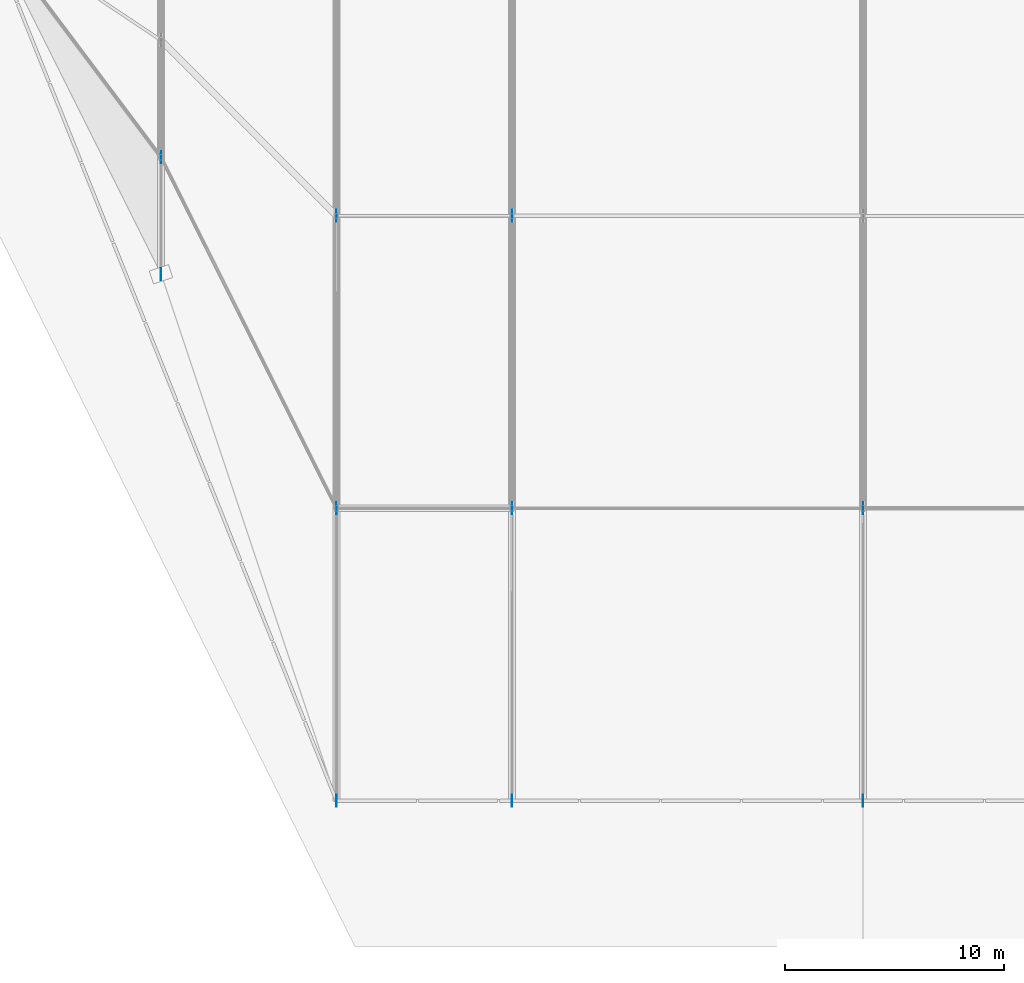
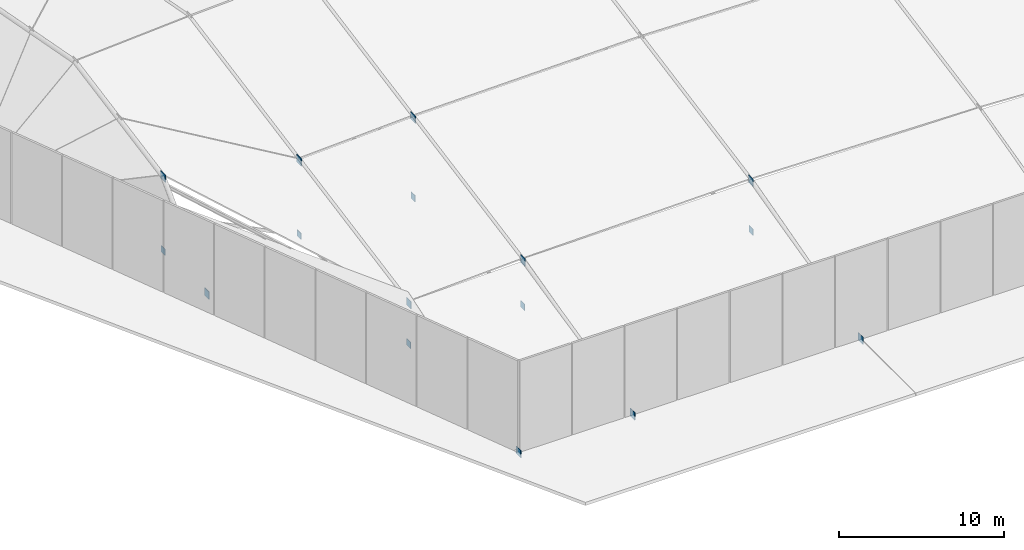
# One storey, part 22 of 30: 16 plates.
"""IFC4 building model written with IfcOpenShell, lengths in metres."""

from ifc_helpers import new_model, si_unit, direction, frame, origin, origin_2d, place, context, subcontext, project, spatial, rectangle, extrude, material, layer, layer_set, type_object, element, save


model = new_model("IFC4")

# Units and contexts
model_context = context("Model", 3, precision=1e-05, world=origin(), true_north=direction((0.0, 1.0)))
body_context = subcontext(model_context, "Body", "Model", "MODEL_VIEW")
ifc_project = project(units=[si_unit("LENGTHUNIT", "METRE"), si_unit("AREAUNIT", "SQUARE_METRE"), si_unit("VOLUMEUNIT", "CUBIC_METRE"), si_unit("PLANEANGLEUNIT", "RADIAN"), si_unit("MASSUNIT", "GRAM", prefix="KILO")], contexts=[model_context])

# Site, building, storey
site_placement = place(None, origin())
site = spatial("IfcSite", under=ifc_project, at=site_placement, CompositionType="ELEMENT")
building_placement = place(site_placement, origin())
building = spatial("IfcBuilding", under=site, at=building_placement, Name="Tazarka Park Arena", CompositionType="ELEMENT")
storey_placement = place(building_placement, frame((0.0, 0.0, 29.39990234375)))
storey = spatial("IfcBuildingStorey", under=building, at=storey_placement, Name="Roof", CompositionType="ELEMENT", Elevation=29.39990234375)

# Plates
ifc_material_1 = material(Name="Steel S460", Category="steel")
ifc_layer_1 = layer(ifc_material_1, 0.0439453125, Name="Steel S460")
ifc_layer_set_1 = layer_set([ifc_layer_1], Name="Steel S460")
plate_type_1 = type_object("IfcPlateType", Name="PLT-PL-07", PredefinedType="SHEET", material=ifc_layer_set_1)
for number, where, z_axis, x_axis, name in (
    (1, (56.0, 48.0, -0.280029296875), (0.0, 0.0, 1.0), (1.0, 0.0, 0.0), "ANP-01-0"),
    (2, (56.0, 53.333251953125, 5.165771484375), (0.0, 0.0, 1.0), (1.0, 0.0, 0.0), "ANP-01-1"),
    (3, (64.0, 24.0, -0.280029296875), (0.0, 0.0, 1.0), (1.0, 0.0, 0.0), "ANP-02-0"),
    (4, (64.0, 37.333251953125, 2.67041015625), (0.0, 0.0, 1.0), (1.0, 0.0, 0.0), "ANP-02-1"),
    (5, (64.0, 50.666748046875, 5.184814453125), (0.0, 0.0, 1.0), (1.0, 0.0, 0.0), "ANP-02-2"),
    (6, (72.0, 24.0, -0.280029296875), (0.0, 0.0, 1.0), (1.0, 0.0, 0.0), "ANP-03-0"),
    (7, (72.0, 37.333251953125, 3.043212890625), (0.0, 0.0, 1.0), (1.0, 0.0, 0.0), "ANP-03-1"),
    (8, (72.0, 50.666748046875, 5.5576171875), (0.0, 0.0, 1.0), (1.0, 0.0, 0.0), "ANP-03-2"),
    (9, (88.0, 24.0, -0.280029296875), (0.0, 0.0, 1.0), (1.0, 0.0, 0.0), "ANP-04-0"),
    (10, (88.0, 37.333251953125, 3.341552734375), (0.0, 0.0, 1.0), (1.0, 0.0, 0.0), "ANP-04-1"),
):
    element("IfcPlate", number, at=place(storey_placement, frame(where, z_axis=z_axis, x_axis=x_axis)), inside=storey, type_object=plate_type_1, Name=name, PredefinedType="SHEET", context=body_context, shape_type="SweptSolid", body=[
        extrude(rectangle(XDim=0.0400390625, YDim=0.56005859375, at=origin_2d()), origin(), (0.0, 0.0, 1.0), 0.56005859375),
    ])
ifc_material_2 = material(Name="Steel S460", Category="steel")
ifc_layer_2 = layer(ifc_material_2, 0.035888671875, Name="Steel S460")
ifc_layer_set_2 = layer_set([ifc_layer_2], Name="Steel S460")
plate_type_2 = type_object("IfcPlateType", Name="PLT-PL-15", PredefinedType="USERDEFINED", material=ifc_layer_set_2)
for number, where, z_axis, x_axis, name in (
    (11, (56.0, 53.333251953125, -0.289794921875), (0.0, 0.0, 1.0), (1.0, 0.0, 0.0), "ANB-01-1"),
    (12, (64.0, 37.333251953125, -0.289794921875), (0.0, 0.0, 1.0), (1.0, 0.0, 0.0), "ANB-02-1"),
    (13, (64.0, 50.666748046875, -0.289794921875), (0.0, 0.0, 1.0), (1.0, 0.0, 0.0), "ANB-02-2"),
    (14, (72.0, 37.333251953125, -0.289794921875), (0.0, 0.0, 1.0), (1.0, 0.0, 0.0), "ANB-03-1"),
    (15, (72.0, 50.666748046875, -0.289794921875), (0.0, 0.0, 1.0), (1.0, 0.0, 0.0), "ANB-03-2"),
    (16, (88.0, 37.333251953125, -0.289794921875), (0.0, 0.0, 1.0), (1.0, 0.0, 0.0), "ANB-04-1"),
):
    element("IfcPlate", number, at=place(storey_placement, frame(where, z_axis=z_axis, x_axis=x_axis)), inside=storey, type_object=plate_type_2, Name=name, ObjectType="STIFFENER", PredefinedType="USERDEFINED", context=body_context, shape_type="SweptSolid", body=[
        extrude(rectangle(XDim=0.035888671875, YDim=0.47998046875, at=origin_2d()), origin(), (0.0, 0.0, 1.0), 0.47998046875),
    ])

save(model, "model.ifc")
